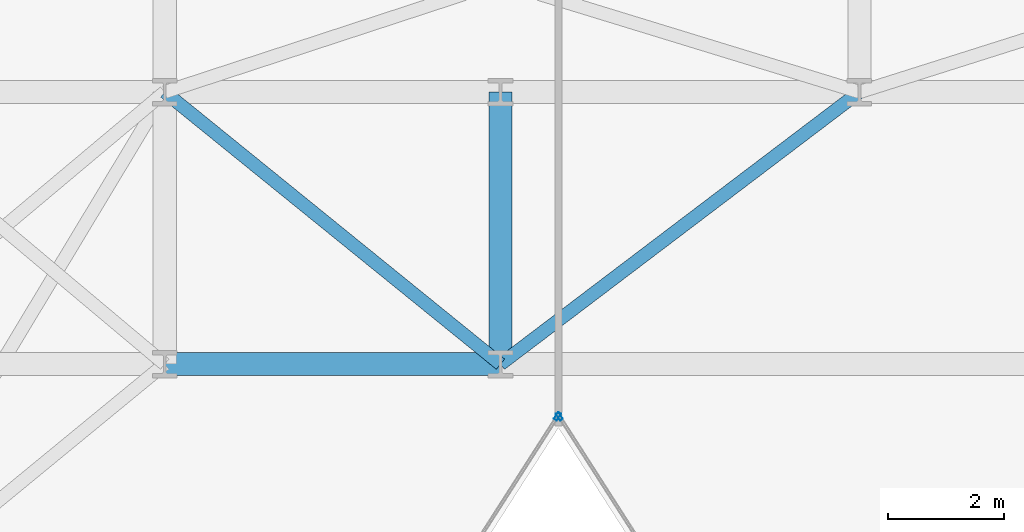
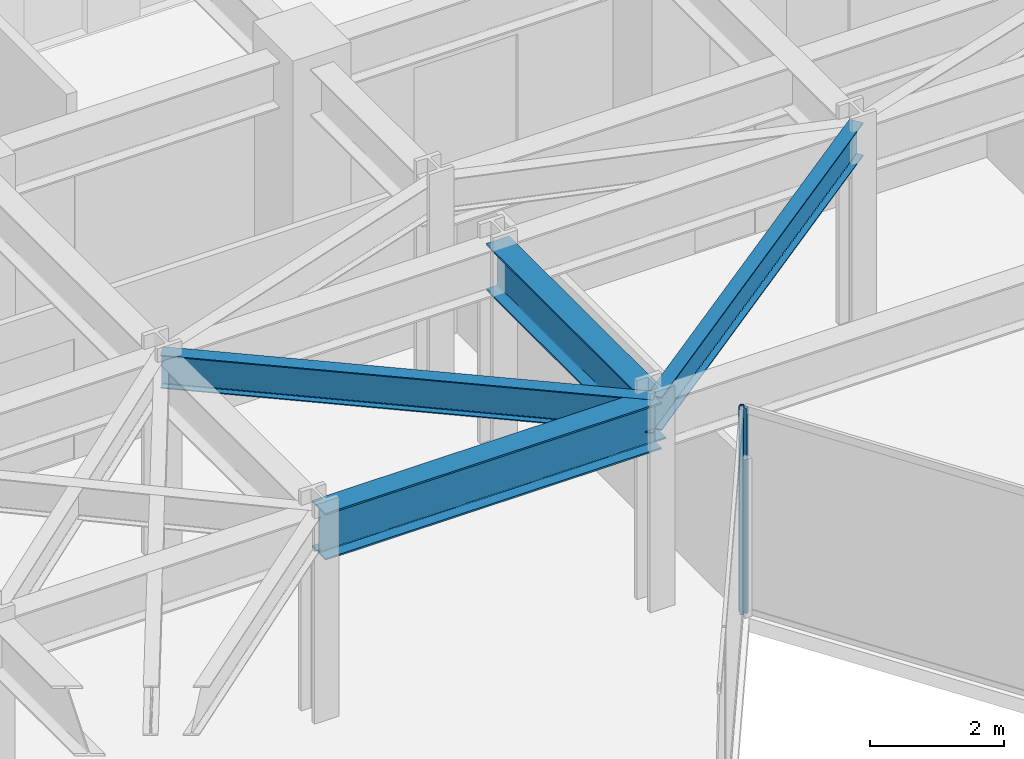
# One storey, part 7 of 20: 4 beams, 2 members, 2 elements without a shape of their own.
"""IFC4 building model written with IfcOpenShell, lengths in metres."""

import ifcopenshell
import ifcopenshell.guid

model = None  # the IFC model being written
_history = None  # IfcOwnerHistory: only IFC2X3 demands one
_inside = {}  # id of a spatial element -> (the spatial element, [elements in it])
_under = {}  # id of a project, library or spatial element -> (it, [spatial elements below it])
_declared = {}  # id of a project -> (the project, [libraries it declares])
_typed = {}  # id of a type object -> (the type object, [elements of that type])
_made_of = {}  # id of a material, layer set ... -> (it, [elements and type objects made of it])


def new_model(schema):
    """Start an empty IFC model of exactly this schema.

    Asked for "IFC4X3", IfcOpenShell would pick the latest addendum, in which some entities
    have other attributes; the version numbers below select the first issue.
    IFC2X3 requires an IfcOwnerHistory on every rooted entity: one is made here for all.
    """
    global model, _history
    if schema == "IFC4X3":
        model = ifcopenshell.file(schema_version=(4, 3, 0, 0))
    else:
        model = ifcopenshell.file(schema=schema)
    _inside.clear()
    _under.clear()
    _declared.clear()
    _typed.clear()
    _made_of.clear()
    _history = None
    if model.schema == "IFC2X3":
        org = make("IfcOrganization", Name="unknown")
        user = make(
            "IfcPersonAndOrganization",
            ThePerson=make("IfcPerson", FamilyName="unknown"),
            TheOrganization=org,
        )
        app = make(
            "IfcApplication",
            ApplicationDeveloper=org,
            Version="unknown",
            ApplicationFullName="unknown",
            ApplicationIdentifier="unknown",
        )
        _history = make(
            "IfcOwnerHistory",
            OwningUser=user,
            OwningApplication=app,
            ChangeAction="ADDED",
            CreationDate=0,
        )
    return model


def make(cls, **values):
    """One entity of the class cls with the attributes given. An attribute that is None is left unset."""
    return model.create_entity(
        cls, **{name: value for name, value in values.items() if value is not None}
    )


def rooted(cls, **values):
    """An entity with a GlobalId (a new one), such as an element, a storey or a relation."""
    return make(cls, GlobalId=ifcopenshell.guid.new(), OwnerHistory=_history, **values)


def si_unit(unit_type, name, prefix=None):
    """IfcSIUnit, for example si_unit("LENGTHUNIT", "METRE", prefix="MILLI")."""
    return make("IfcSIUnit", UnitType=unit_type, Prefix=prefix, Name=name)


def assignment(units):
    """IfcUnitAssignment: the units of a project."""
    return None if units is None else make("IfcUnitAssignment", Units=units)


def point(xyz):
    """IfcCartesianPoint."""
    return None if xyz is None else make("IfcCartesianPoint", Coordinates=xyz)


def direction(xyz):
    """IfcDirection."""
    return None if xyz is None else make("IfcDirection", DirectionRatios=xyz)


def frame(location, z_axis=None, x_axis=None):
    """IfcAxis2Placement3D, a coordinate frame: its origin and axes. An axis left out is left unset."""
    return make(
        "IfcAxis2Placement3D",
        Location=point(location),
        Axis=direction(z_axis),
        RefDirection=direction(x_axis),
    )


def frame_2d(location, x_axis=None):
    """IfcAxis2Placement2D, a coordinate frame in the plane: its origin and x axis."""
    return make(
        "IfcAxis2Placement2D", Location=point(location), RefDirection=direction(x_axis)
    )


def origin():
    """The frame at (0, 0, 0) with its axes left unset."""
    return frame((0.0, 0.0, 0.0))


def origin_2d():
    """The frame at (0, 0) in the plane with its x axis left unset."""
    return frame_2d((0.0, 0.0))


def place(relative_to, where):
    """IfcLocalPlacement: puts the frame where relative to a parent placement (None: the world)."""
    return make(
        "IfcLocalPlacement", PlacementRelTo=relative_to, RelativePlacement=where
    )


def context(
    kind, dimensions, precision=None, world=None, true_north=None, identifier=None
):
    """IfcGeometricRepresentationContext, for example the 3D "Model" context."""
    return make(
        "IfcGeometricRepresentationContext",
        ContextIdentifier=identifier,
        ContextType=kind,
        CoordinateSpaceDimension=dimensions,
        Precision=precision,
        WorldCoordinateSystem=world,
        TrueNorth=true_north,
    )


def subcontext(parent, identifier, kind, view, scale=None):
    """IfcGeometricRepresentationSubContext, for example "Body" below "Model"."""
    return make(
        "IfcGeometricRepresentationSubContext",
        ContextIdentifier=identifier,
        ContextType=kind,
        ParentContext=parent,
        TargetScale=scale,
        TargetView=view,
    )


def project(units=None, contexts=None):
    """IfcProject with its units and contexts."""
    return rooted(
        "IfcProject",
        Name="project",
        RepresentationContexts=contexts,
        UnitsInContext=assignment(units),
    )


def spatial(cls, under=None, at=None, **own):
    """A site, building, storey or space (cls), placed at a placement, below another one or the project."""
    s = rooted(cls, ObjectPlacement=at, **own)
    if under is not None:
        _under.setdefault(under.id(), (under, []))[1].append(s)
    return s


def profile(cls, at=None, kind="AREA", **sizes):
    """A parametric profile (cls). Its sizes go by their IFC names, for example OverallWidth=200.0."""
    return make(cls, ProfileType=kind, Position=at, **sizes)


def hollow_rectangle(**sizes):
    """IfcRectangleHollowProfileDef."""
    return profile("IfcRectangleHollowProfileDef", **sizes)


def i_section(**sizes):
    """IfcIShapeProfileDef."""
    return profile("IfcIShapeProfileDef", **sizes)


def extrude(swept, where, along, depth):
    """IfcExtrudedAreaSolid: the profile swept, set in the frame where, extruded along a direction by depth."""
    return make(
        "IfcExtrudedAreaSolid",
        SweptArea=swept,
        Position=where,
        ExtrudedDirection=direction(along),
        Depth=depth,
    )


def shape(context_of_items, identifier, shape_type, items):
    """IfcShapeRepresentation: the items that make up one representation, for example the "Body"."""
    return make(
        "IfcShapeRepresentation",
        ContextOfItems=context_of_items,
        RepresentationIdentifier=identifier,
        RepresentationType=shape_type,
        Items=items,
    )


def material(Name=None, Category=None):
    """IfcMaterial."""
    return make("IfcMaterial", Name=Name, Category=Category)


def layer(
    of_material, thickness, ventilated=None, Name=None, Category=None, Priority=None
):
    """IfcMaterialLayer: one layer of a wall or slab, of a material (None: an air gap)."""
    return make(
        "IfcMaterialLayer",
        Material=of_material,
        LayerThickness=thickness,
        IsVentilated=ventilated,
        Name=Name,
        Category=Category,
        Priority=Priority,
    )


def layer_set(layers, Name=None):
    """IfcMaterialLayerSet."""
    return make("IfcMaterialLayerSet", MaterialLayers=layers, LayerSetName=Name)


def material_profile(
    of_material, cross_section, Name=None, Category=None, Priority=None
):
    """IfcMaterialProfile: a cross section and its material."""
    return make(
        "IfcMaterialProfile",
        Name=Name,
        Material=of_material,
        Profile=cross_section,
        Priority=Priority,
        Category=Category,
    )


def profile_set(profiles, Name=None, composite=None):
    """IfcMaterialProfileSet."""
    return make(
        "IfcMaterialProfileSet",
        Name=Name,
        MaterialProfiles=profiles,
        CompositeProfile=composite,
    )


def made_of(thing, what):
    """Note that an element or type object is made of a material, layer set ...; save() writes the relation."""
    if what is not None:
        _made_of.setdefault(what.id(), (what, []))[1].append(thing)
    return thing


def type_object(cls, material=None, **own):
    """A type object (cls), such as IfcWallType, which elements share."""
    return made_of(rooted(cls, **own), material)


def element(
    cls,
    number,
    at=None,
    inside=None,
    cuts=None,
    type_object=None,
    material=None,
    context=None,
    identifier="Body",
    shape_type=None,
    held_by="IfcProductDefinitionShape",
    body=None,
    shapes=None,
    **own,
):
    """One element of the class cls, such as IfcWall. Its Tag is "e" and its number.

    at: its placement. inside: the storey or other place that contains it. cuts: it is an
    opening in that element (IfcRelVoidsElement). A single representation is given by context,
    identifier, shape_type and body (its items); several are given by shapes. held_by: the class
    of the entity that holds the representations. save() writes the other relations.
    """
    e = rooted(cls, Tag="e%d" % number, ObjectPlacement=at, **own)
    if body is not None:
        shapes = [shape(context, identifier, shape_type, body)]
    if shapes is not None:
        e.Representation = make(held_by, Representations=shapes)
    if inside is not None:
        _inside.setdefault(inside.id(), (inside, []))[1].append(e)
    if cuts is not None:
        rooted(
            "IfcRelVoidsElement", RelatingBuildingElement=cuts, RelatedOpeningElement=e
        )
    if type_object is not None:
        _typed.setdefault(type_object.id(), (type_object, []))[1].append(e)
    return made_of(e, material)


def aggregate(whole, parts):
    """IfcRelAggregates: a whole, such as a stair, and the parts it consists of."""
    return rooted("IfcRelAggregates", RelatingObject=whole, RelatedObjects=parts)


def save(model, path):
    """Write the relations noted so far, then the file.

    IfcRelAggregates (storeys below a building ...), IfcRelContainedInSpatialStructure (elements
    in a storey), IfcRelDefinesByType, IfcRelAssociatesMaterial and IfcRelDeclares: one each for
    every whole, place, type object, material and project.
    """
    for whole, parts in _under.values():
        aggregate(whole, parts)
    for where, things in _inside.values():
        rooted(
            "IfcRelContainedInSpatialStructure",
            RelatedElements=things,
            RelatingStructure=where,
        )
    for kind, things in _typed.values():
        rooted("IfcRelDefinesByType", RelatedObjects=things, RelatingType=kind)
    for what, things in _made_of.values():
        rooted("IfcRelAssociatesMaterial", RelatedObjects=things, RelatingMaterial=what)
    for by, libraries in _declared.values():
        rooted("IfcRelDeclares", RelatingContext=by, RelatedDefinitions=libraries)
    model.write(path)


model = new_model("IFC4")

# Units and contexts
model_context = context("Model", 3, precision=1e-05, world=origin(), true_north=direction((0.0, 1.0)))
body_context = subcontext(model_context, "Body", "Model", "MODEL_VIEW")
ifc_project = project(units=[si_unit("LENGTHUNIT", "METRE"), si_unit("AREAUNIT", "SQUARE_METRE"), si_unit("VOLUMEUNIT", "CUBIC_METRE"), si_unit("PLANEANGLEUNIT", "RADIAN"), si_unit("MASSUNIT", "GRAM", prefix="KILO")], contexts=[model_context])

# Site, building, storey
site_placement = place(None, origin())
site = spatial("IfcSite", under=ifc_project, at=site_placement, CompositionType="ELEMENT")
building_placement = place(site_placement, origin())
building = spatial("IfcBuilding", under=site, at=building_placement, Name="Kravanh Interchange Tower", CompositionType="ELEMENT")
storey_placement = place(building_placement, frame((0.0, 0.0, 104.0)))
storey = spatial("IfcBuildingStorey", under=building, at=storey_placement, Name="L24", CompositionType="ELEMENT", Elevation=104.0)

# Curtain wall, member
ifc_material_1 = material(Name="Anodised Bronze Aluminium", Category="aluminium")
ifc_layer = layer(ifc_material_1, 0.179931640625)
ifc_layer_set = layer_set([ifc_layer], Name="Unitised Curtain Wall System CW-Z2 Mid Office")
curtain_wall_type = type_object("IfcCurtainWallType", Name="Unitised Curtain Wall System CW-Z2 Mid Office", PredefinedType="NOTDEFINED", material=ifc_layer_set)
curtain_wall_1_placement = place(storey_placement, origin())
curtain_wall_1 = element("IfcCurtainWall", 1, at=curtain_wall_1_placement, inside=storey, type_object=curtain_wall_type, Name="L24 Unitised Curtain Wall CW-L24-03", PredefinedType="NOTDEFINED")
ifc_material_2 = material(Name="Anodised Bronze Aluminium", Category="aluminium")
ifc_material_profile_1 = material_profile(ifc_material_2, hollow_rectangle(XDim=0.06005859375, YDim=0.139892578125, WallThickness=0.00390625, at=origin_2d()), Name="ALU60X140X4")
ifc_profile_set_1 = profile_set([ifc_material_profile_1], Name="Anodised Bronze Aluminium")
member_type = type_object("IfcMemberType", Name="Curtain Wall Mullion ALU60X140X4 Bronze", PredefinedType="MULLION", material=ifc_profile_set_1)
member_1_placement = place(storey_placement, frame((39.6162109375, 25.897216796875, 0.0), z_axis=(0.0, 0.0, 1.0), x_axis=(-0.841879939476, -0.539664865919, 0.0)))
member_1 = element("IfcMember", 2, at=member_1_placement, type_object=member_type, Name="CW-Z2 mullion 5", PredefinedType="MULLION", context=body_context, shape_type="SweptSolid", body=[
    extrude(hollow_rectangle(XDim=0.06005859375, YDim=0.139892578125, WallThickness=0.00390625, at=origin_2d()), origin(), (0.0, 0.0, 1.0), 3.75),
])
aggregate(curtain_wall_1, [member_1])

curtain_wall_2_placement = place(storey_placement, origin())
curtain_wall_2 = element("IfcCurtainWall", 3, at=curtain_wall_2_placement, inside=storey, type_object=curtain_wall_type, Name="L24 Unitised Curtain Wall CW-L24-04", PredefinedType="NOTDEFINED")
member_2_placement = place(storey_placement, frame((39.583740234375, 25.897216796875, 0.0), z_axis=(0.0, 0.0, 1.0), x_axis=(0.841879939476, -0.539664865919, 0.0)))
member_2 = element("IfcMember", 4, at=member_2_placement, type_object=member_type, Name="CW-Z2 mullion 1", PredefinedType="MULLION", context=body_context, shape_type="SweptSolid", body=[
    extrude(hollow_rectangle(XDim=0.06005859375, YDim=0.139892578125, WallThickness=0.00390625, at=origin_2d()), origin(), (0.0, 0.0, 1.0), 3.75),
])
aggregate(curtain_wall_2, [member_2])

# Beams
ifc_material_3 = material(Name="Structural Steel S355", Category="steel")
ifc_material_profile_2 = material_profile(ifc_material_3, i_section(OverallWidth=0.39990234375, OverallDepth=0.85595703125, WebThickness=0.018310546875, FlangeThickness=0.029296875, FilletRadius=0.02490234375, at=origin_2d()), Name="W33X201")
ifc_profile_set_2 = profile_set([ifc_material_profile_2], Name="Structural Steel S355")
beam_type_1 = type_object("IfcBeamType", Name="Floor Beam W33X201 Structural Steel S355", PredefinedType="BEAM", material=ifc_profile_set_2)
beam_1_placement = place(storey_placement, frame((32.800048828125, 26.800048828125, 3.322021484375), z_axis=(1.0, 0.0, 0.0), x_axis=(0.0, 1.0, 0.0)))
element("IfcBeam", 5, at=beam_1_placement, inside=storey, type_object=beam_type_1, Name="L24 Primary Floor Girder 50", PredefinedType="BEAM", context=body_context, shape_type="SweptSolid", body=[
    extrude(i_section(OverallWidth=0.39990234375, OverallDepth=0.85595703125, WebThickness=0.018310546875, FlangeThickness=0.029296875, FilletRadius=0.02490234375, at=origin_2d()), origin(), (0.0, 0.0, 1.0), 5.800048828125),
])
beam_2_placement = place(storey_placement, frame((38.60009765625, 26.800048828125, 3.322021484375), z_axis=(0.0, 1.0, 0.0), x_axis=(-1.0, 0.0, 0.0)))
element("IfcBeam", 6, at=beam_2_placement, inside=storey, type_object=beam_type_1, Name="L24 Primary Floor Girder 53", PredefinedType="BEAM", context=body_context, shape_type="SweptSolid", body=[
    extrude(i_section(OverallWidth=0.39990234375, OverallDepth=0.85595703125, WebThickness=0.018310546875, FlangeThickness=0.029296875, FilletRadius=0.02490234375, at=origin_2d()), origin(), (0.0, 0.0, 1.0), 4.699951171875),
])
ifc_material_4 = material(Name="Structural Steel S355", Category="steel")
ifc_material_profile_3 = material_profile(ifc_material_4, i_section(OverallWidth=0.22802734375, OverallDepth=0.60791015625, WebThickness=0.01123046875, FlangeThickness=0.017333984375, FilletRadius=0.02197265625, at=origin_2d()), Name="W24X76")
ifc_profile_set_3 = profile_set([ifc_material_profile_3], Name="Structural Steel S355")
beam_type_2 = type_object("IfcBeamType", Name="Floor Spandrel W24X76 Structural Steel S355", PredefinedType="SPANDREL", material=ifc_profile_set_3)
beam_3_placement = place(storey_placement, frame((38.60009765625, 26.800048828125, 3.446044921875), z_axis=(-0.776938619557, 0.629576350764, 0.0), x_axis=(-0.629576350764, -0.776938619557, 0.0)))
element("IfcBeam", 7, at=beam_3_placement, inside=storey, type_object=beam_type_2, Name="L24 Perimeter Spandrel 54", PredefinedType="SPANDREL", context=body_context, shape_type="SweptSolid", body=[
    extrude(i_section(OverallWidth=0.22802734375, OverallDepth=0.60791015625, WebThickness=0.01123046875, FlangeThickness=0.017333984375, FilletRadius=0.02197265625, at=origin_2d()), origin(), (0.0, 0.0, 1.0), 7.46533203125),
])
beam_4_placement = place(storey_placement, frame((38.60009765625, 26.800048828125, 3.446044921875), z_axis=(0.796905365509, 0.604104161898, 0.0), x_axis=(-0.604104161898, 0.796905365509, 0.0)))
element("IfcBeam", 8, at=beam_4_placement, inside=storey, type_object=beam_type_2, Name="L24 Perimeter Spandrel 55", PredefinedType="SPANDREL", context=body_context, shape_type="SweptSolid", body=[
    extrude(i_section(OverallWidth=0.22802734375, OverallDepth=0.60791015625, WebThickness=0.01123046875, FlangeThickness=0.017333984375, FilletRadius=0.02197265625, at=origin_2d()), origin(), (0.0, 0.0, 1.0), 7.780029296875),
])

save(model, "model.ifc")
